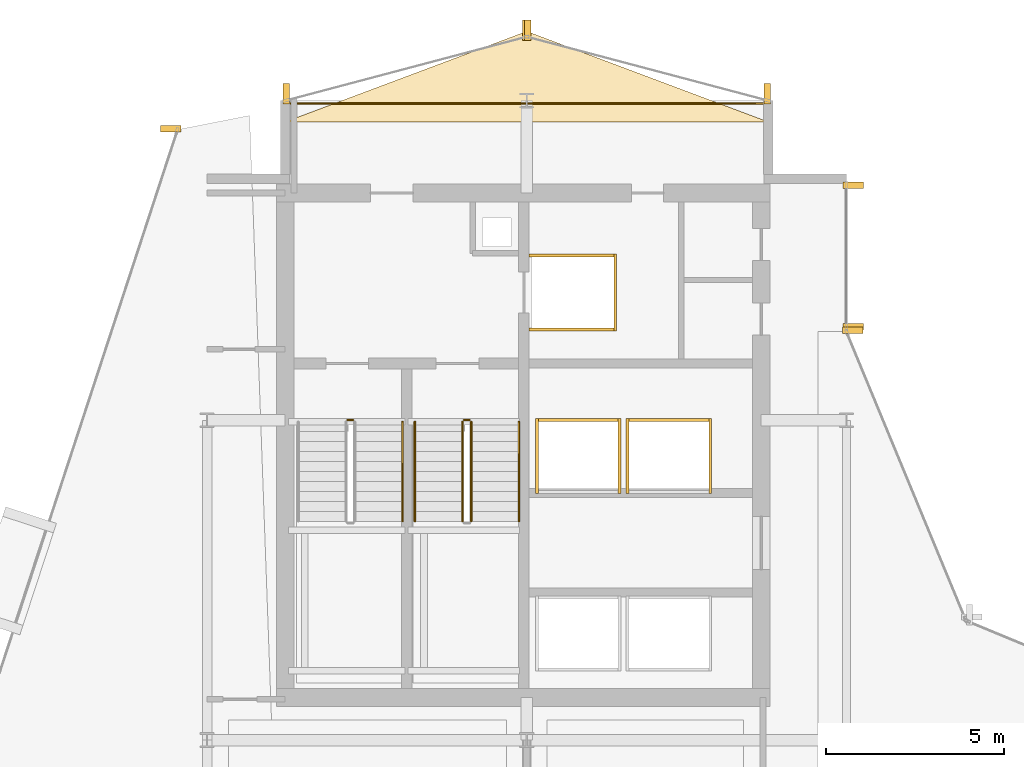
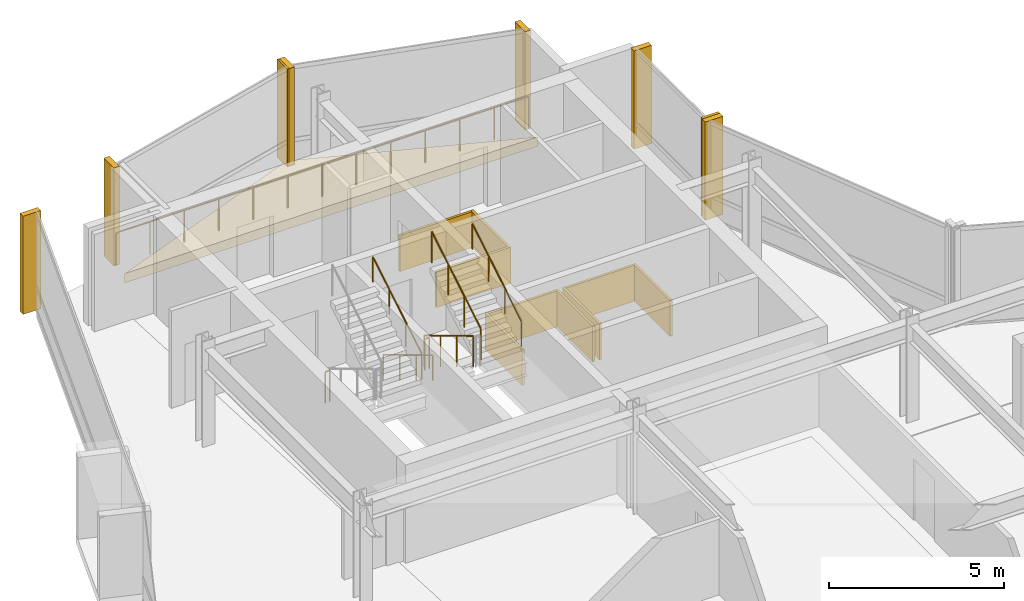
# One storey, part 27 of 27: 18 coverings, 8 railings.
"""IFC4 building model written with IfcOpenShell, lengths in metres."""

from ifc_helpers import new_model, si_unit, direction, frame, origin, origin_2d, place, context, subcontext, project, spatial, polyline, rectangle, circle, outline, extrude, material, layer, layer_set, type_object, element, save


model = new_model("IFC4")

# Units and contexts
model_context = context("Model", 3, precision=1e-05, world=origin(), true_north=direction((0.0, 1.0)))
body_context = subcontext(model_context, "Body", "Model", "MODEL_VIEW")
ifc_project = project(units=[si_unit("LENGTHUNIT", "METRE"), si_unit("AREAUNIT", "SQUARE_METRE"), si_unit("VOLUMEUNIT", "CUBIC_METRE"), si_unit("PLANEANGLEUNIT", "RADIAN"), si_unit("MASSUNIT", "GRAM", prefix="KILO")], contexts=[model_context])

# Site, building, storey
site_placement = place(None, origin())
site = spatial("IfcSite", under=ifc_project, at=site_placement, CompositionType="ELEMENT")
building_placement = place(site_placement, origin())
building = spatial("IfcBuilding", under=site, at=building_placement, Name="Solvaryn Broadcast Tower", CompositionType="ELEMENT")
storey_placement = place(building_placement, frame((0.0, 0.0, 185.300048828125)))
storey = spatial("IfcBuildingStorey", under=building, at=storey_placement, Name="L46", CompositionType="ELEMENT", Elevation=185.300048828125)

# Coverings
ifc_material_1 = material(Name="Fire-Rated Gypsum Shaftwall Liner", Category="concrete")
ifc_layer_1 = layer(ifc_material_1, 0.080078125)
ifc_layer_set_1 = layer_set([ifc_layer_1], Name="CV-SHAFT-LINER")
covering_type_1 = type_object("IfcCoveringType", Name="CV-SHAFT-LINER", PredefinedType="CLADDING", material=ifc_layer_set_1)
for number, where, z_axis, x_axis, name in (
    (1, (19.300048828125, 40.639892578125, 0.0), (0.0, 0.0, 1.0), (1.0, 0.0, 0.0), "L46 FL1 Hoistway Shaft Liner North"),
    (2, (19.300048828125, 38.56005859375, 0.0), (0.0, 0.0, 1.0), (1.0, 0.0, 0.0), "L46 FL1 Hoistway Shaft Liner South"),
):
    element("IfcCovering", number, at=place(storey_placement, frame(where, z_axis=z_axis, x_axis=x_axis)), inside=storey, type_object=covering_type_1, Name=name, PredefinedType="CLADDING", context=body_context, shape_type="SweptSolid", body=[
        extrude(rectangle(XDim=2.4599609375, YDim=0.080078125, at=origin_2d()), origin(), (0.0, 0.0, 1.0), 1.25),
    ])
covering_1_placement = place(storey_placement, frame((20.489990234375, 39.60009765625, 0.0), z_axis=(0.0, 0.0, 1.0), x_axis=(1.0, 0.0, 0.0)))
element("IfcCovering", 3, at=covering_1_placement, inside=storey, type_object=covering_type_1, Name="L46 FL1 Hoistway Shaft Liner East", PredefinedType="CLADDING", context=body_context, shape_type="SweptSolid", body=[
    extrude(rectangle(XDim=0.080078125, YDim=2.159912109375, at=origin_2d()), origin(), (0.0, 0.0, 1.0), 1.25),
])
covering_2_placement = place(storey_placement, frame((19.449951171875, 36.014892578125, 0.0), z_axis=(0.0, 0.0, 1.0), x_axis=(1.0, 0.0, 0.0)))
element("IfcCovering", 4, at=covering_2_placement, inside=storey, type_object=covering_type_1, Name="L46 PH3 Hoistway Shaft Liner North", PredefinedType="CLADDING", context=body_context, shape_type="SweptSolid", body=[
    extrude(rectangle(XDim=2.409912109375, YDim=0.080078125, at=origin_2d()), origin(), (0.0, 0.0, 1.0), 1.25),
])
for number, where, z_axis, x_axis, name in (
    (5, (20.614990234375, 35.0, 0.0), (0.0, 0.0, 1.0), (1.0, 0.0, 0.0), "L46 PH3 Hoistway Shaft Liner East"),
    (6, (18.284912109375, 35.0, 0.0), (0.0, 0.0, 1.0), (1.0, 0.0, 0.0), "L46 PH3 Hoistway Shaft Liner West"),
):
    element("IfcCovering", number, at=place(storey_placement, frame(where, z_axis=z_axis, x_axis=x_axis)), inside=storey, type_object=covering_type_1, Name=name, PredefinedType="CLADDING", context=body_context, shape_type="SweptSolid", body=[
        extrude(rectangle(XDim=0.080078125, YDim=2.110107421875, at=origin_2d()), origin(), (0.0, 0.0, 1.0), 1.25),
    ])
covering_3_placement = place(storey_placement, frame((22.0, 36.014892578125, 0.0), z_axis=(0.0, 0.0, 1.0), x_axis=(1.0, 0.0, 0.0)))
element("IfcCovering", 7, at=covering_3_placement, inside=storey, type_object=covering_type_1, Name="L46 PH4 Hoistway Shaft Liner North", PredefinedType="CLADDING", context=body_context, shape_type="SweptSolid", body=[
    extrude(rectangle(XDim=2.409912109375, YDim=0.080078125, at=origin_2d()), origin(), (0.0, 0.0, 1.0), 1.25),
])
for number, where, z_axis, x_axis, name in (
    (8, (23.1650390625, 35.0, 0.0), (0.0, 0.0, 1.0), (1.0, 0.0, 0.0), "L46 PH4 Hoistway Shaft Liner East"),
    (9, (20.8349609375, 35.0, 0.0), (0.0, 0.0, 1.0), (1.0, 0.0, 0.0), "L46 PH4 Hoistway Shaft Liner West"),
):
    element("IfcCovering", number, at=place(storey_placement, frame(where, z_axis=z_axis, x_axis=x_axis)), inside=storey, type_object=covering_type_1, Name=name, PredefinedType="CLADDING", context=body_context, shape_type="SweptSolid", body=[
        extrude(rectangle(XDim=0.080078125, YDim=2.110107421875, at=origin_2d()), origin(), (0.0, 0.0, 1.0), 1.25),
    ])
ifc_material_2 = material(Name="Extruded Architectural Terracotta Fin", Category="masonry")
ifc_layer_2 = layer(ifc_material_2, 0.179931640625)
ifc_layer_set_2 = layer_set([ifc_layer_2], Name="CV-TC-FIN")
covering_type_2 = type_object("IfcCoveringType", Name="CV-TC-FIN", PredefinedType="USERDEFINED", material=ifc_layer_set_2)
for number, where, z_axis, x_axis, name in (
    (10, (7.982666015625, 44.209716796875, 0.0), (0.0, 0.0, 1.0), (1.0, 0.0, 0.0), "L46 Terracotta Vertical Fin FIN-L46-DR1-M00"),
    (11, (27.1875, 42.6201171875, 0.0), (0.0, 0.0, 1.0), (1.0, 0.0, 0.0), "L46 Terracotta Vertical Fin FIN-L46-IV-M00"),
    (12, (27.1875, 38.6298828125, 0.0), (0.0, 0.0, 1.0), (1.0, 0.0, 0.0), "L46 Terracotta Vertical Fin FIN-L46-IV-M01"),
    (13, (27.177978515625, 38.541259765625, 0.0), (0.0, 0.0, 1.0), (1.0, 0.0, 0.0), "L46 Terracotta Vertical Fin FIN-L46-CN2-M01"),
):
    element("IfcCovering", number, at=place(storey_placement, frame(where, z_axis=z_axis, x_axis=x_axis)), inside=storey, type_object=covering_type_2, Name=name, ObjectType="FIN", PredefinedType="USERDEFINED", context=body_context, shape_type="SweptSolid", body=[
        extrude(rectangle(XDim=0.580078125, YDim=0.179931640625, at=origin_2d()), origin(), (0.0, 0.0, 1.0), 3.419921875),
    ])
for number, where, z_axis, x_axis, name in (
    (14, (24.77099609375, 45.1953125, 0.0), (0.0, 0.0, 1.0), (1.0, 0.0, 0.0), "L46 Terracotta Vertical Fin FIN-L46-NT1-M00"),
    (15, (18.029052734375, 46.979736328125, 0.0), (0.0, 0.0, 1.0), (1.0, 0.0, 0.0), "L46 Terracotta Vertical Fin FIN-L46-NT1-M01"),
    (16, (17.970947265625, 46.979736328125, 0.0), (0.0, 0.0, 1.0), (1.0, 0.0, 0.0), "L46 Terracotta Vertical Fin FIN-L46-NT2-M00"),
    (17, (11.22900390625, 45.1953125, 0.0), (0.0, 0.0, 1.0), (1.0, 0.0, 0.0), "L46 Terracotta Vertical Fin FIN-L46-NT2-M01"),
):
    element("IfcCovering", number, at=place(storey_placement, frame(where, z_axis=z_axis, x_axis=x_axis)), inside=storey, type_object=covering_type_2, Name=name, ObjectType="FIN", PredefinedType="USERDEFINED", context=body_context, shape_type="SweptSolid", body=[
        extrude(rectangle(XDim=0.179931640625, YDim=0.580078125, at=origin_2d()), origin(), (0.0, 0.0, 1.0), 3.419921875),
    ])
ifc_material_3 = material(Name="Sculpted Architectural Terracotta Wave Fascia", Category="masonry")
ifc_layer_3 = layer(ifc_material_3, 0.340087890625)
ifc_layer_set_3 = layer_set([ifc_layer_3], Name="CV-WAVE-TRAY")
covering_type_3 = type_object("IfcCoveringType", Name="CV-WAVE-TRAY", PredefinedType="CLADDING", material=ifc_layer_set_3)
covering_4_placement = place(storey_placement, frame((0.0, 0.0, -0.300048828125)))
element("IfcCovering", 18, at=covering_4_placement, inside=storey, type_object=covering_type_3, Name="L46 North Curved Wing Deck", PredefinedType="CLADDING", context=body_context, shape_type="SweptSolid", body=[
    extrude(outline(polyline([(11.199951171875, 44.39990234375), (24.800048828125, 44.39990234375), (18.0, 46.949951171875), (11.199951171875, 44.39990234375)])), origin(), (0.0, 0.0, 1.0), 0.330078125),
])

# Railings
ifc_material_4 = material(Name="Painted Steel Stair Well Guard", Category="steel")
railing_type_1 = type_object("IfcRailingType", Name="RL-STAIR-GUARD", PredefinedType="BALUSTRADE", material=ifc_material_4)
railing_1_placement = place(storey_placement, frame((12.9599609375, 36.010009765625, 0.0)))
element("IfcRailing", 19, at=railing_1_placement, inside=storey, type_object=railing_type_1, Name="L46 ST1 stair guard 4", PredefinedType="BALUSTRADE", context=body_context, shape_type="SweptSolid", body=[
    extrude(circle(Radius=0.02392578125, at=origin_2d()), frame((0.0, 0.0, 1.076171875), z_axis=(1.0, 0.0, 0.0), x_axis=(0.0, 1.0, 0.0)), (0.0, 0.0, 1.0), 0.150146484375),
    extrude(circle(Radius=0.02099609375, at=origin_2d()), origin(), (0.0, 0.0, 1.0), 1.052001953125),
    extrude(circle(Radius=0.02099609375, at=origin_2d()), frame((0.150146484375, 0.0, 0.0)), (0.0, 0.0, 1.0), 1.052001953125),
])
railing_2_placement = place(storey_placement, frame((16.18994140625, 35.9599609375, 0.168212890625)))
element("IfcRailing", 20, at=railing_2_placement, inside=storey, type_object=railing_type_1, Name="L46 ST2 stair guard 1", PredefinedType="BALUSTRADE", context=body_context, shape_type="SweptSolid", body=[
    extrude(circle(Radius=0.02392578125, at=origin_2d()), frame((0.0, 0.0, 1.076171875), z_axis=(0.0, -0.857275202839, 0.514858452973), x_axis=(1.0, 0.0, 0.0)), (0.0, 0.0, 1.0), 3.26611328125),
    extrude(circle(Radius=0.02099609375, at=origin_2d()), origin(), (0.0, 0.0, 1.0), 1.052001953125),
    extrude(circle(Radius=0.02099609375, at=origin_2d()), frame((0.0, -0.933349609375, 0.560546875)), (0.0, 0.0, 1.0), 1.052001953125),
    extrude(circle(Radius=0.02099609375, at=origin_2d()), frame((0.0, -1.86669921875, 1.12109375)), (0.0, 0.0, 1.0), 1.052001953125),
    extrude(circle(Radius=0.02099609375, at=origin_2d()), frame((0.0, -2.800048828125, 1.681640625)), (0.0, 0.0, 1.0), 1.052001953125),
])
railing_3_placement = place(storey_placement, frame((16.43994140625, 33.159912109375, 2.01806640625)))
element("IfcRailing", 21, at=railing_3_placement, inside=storey, type_object=railing_type_1, Name="L46 ST2 stair guard 3", PredefinedType="BALUSTRADE", context=body_context, shape_type="SweptSolid", body=[
    extrude(circle(Radius=0.02392578125, at=origin_2d()), frame((0.0, 0.0, 1.076171875), z_axis=(0.0, 0.857242210791, 0.514913383045), x_axis=(-1.0, 0.0, 0.0)), (0.0, 0.0, 1.0), 3.266357421875),
    extrude(circle(Radius=0.02099609375, at=origin_2d()), origin(), (0.0, 0.0, 1.0), 1.052001953125),
    extrude(circle(Radius=0.02099609375, at=origin_2d()), frame((0.0, 0.933349609375, 0.560546875)), (0.0, 0.0, 1.0), 1.052001953125),
    extrude(circle(Radius=0.02099609375, at=origin_2d()), frame((0.0, 1.86669921875, 1.121337890625)), (0.0, 0.0, 1.0), 1.052001953125),
    extrude(circle(Radius=0.02099609375, at=origin_2d()), frame((0.0, 2.800048828125, 1.681884765625)), (0.0, 0.0, 1.0), 1.052001953125),
])
railing_4_placement = place(storey_placement, frame((16.239990234375, 36.010009765625, 0.0)))
element("IfcRailing", 22, at=railing_4_placement, inside=storey, type_object=railing_type_1, Name="L46 ST2 stair guard 4", PredefinedType="BALUSTRADE", context=body_context, shape_type="SweptSolid", body=[
    extrude(circle(Radius=0.02392578125, at=origin_2d()), frame((0.0, 0.0, 1.076171875), z_axis=(1.0, 0.0, 0.0), x_axis=(0.0, 1.0, 0.0)), (0.0, 0.0, 1.0), 0.14990234375),
    extrude(circle(Radius=0.02099609375, at=origin_2d()), origin(), (0.0, 0.0, 1.0), 1.052001953125),
    extrude(circle(Radius=0.02099609375, at=origin_2d()), frame((0.14990234375, 0.0, 0.0)), (0.0, 0.0, 1.0), 1.052001953125),
])
ifc_material_5 = material(Name="Brushed Stainless Steel Tubular Handrail", Category="steel")
railing_type_2 = type_object("IfcRailingType", Name="RL-STAIR-HANDRAIL", PredefinedType="HANDRAIL", material=ifc_material_5)
railing_5_placement = place(storey_placement, frame((14.5, 33.159912109375, 2.01806640625)))
element("IfcRailing", 23, at=railing_5_placement, inside=storey, type_object=railing_type_2, Name="L46 ST1 stair handrail 2", PredefinedType="HANDRAIL", context=body_context, shape_type="SweptSolid", body=[
    extrude(circle(Radius=0.02392578125, at=origin_2d()), frame((0.0, 0.0, 0.8759765625), z_axis=(0.0, 0.857242210791, 0.514913383045), x_axis=(-1.0, 0.0, 0.0)), (0.0, 0.0, 1.0), 3.266357421875),
    extrude(circle(Radius=0.02099609375, at=origin_2d()), origin(), (0.0, 0.0, 1.0), 0.851806640625),
    extrude(circle(Radius=0.02099609375, at=origin_2d()), frame((0.0, 0.933349609375, 0.560546875)), (0.0, 0.0, 1.0), 0.851806640625),
    extrude(circle(Radius=0.02099609375, at=origin_2d()), frame((0.0, 1.86669921875, 1.121337890625)), (0.0, 0.0, 1.0), 0.851806640625),
    extrude(circle(Radius=0.02099609375, at=origin_2d()), frame((0.0, 2.800048828125, 1.681884765625)), (0.0, 0.0, 1.0), 0.851806640625),
])
railing_6_placement = place(storey_placement, frame((14.85009765625, 35.9599609375, 0.168212890625)))
element("IfcRailing", 24, at=railing_6_placement, inside=storey, type_object=railing_type_2, Name="L46 ST2 stair handrail 1", PredefinedType="HANDRAIL", context=body_context, shape_type="SweptSolid", body=[
    extrude(circle(Radius=0.02392578125, at=origin_2d()), frame((0.0, 0.0, 0.8759765625), z_axis=(0.0, -0.857275202839, 0.514858452973), x_axis=(1.0, 0.0, 0.0)), (0.0, 0.0, 1.0), 3.26611328125),
    extrude(circle(Radius=0.02099609375, at=origin_2d()), origin(), (0.0, 0.0, 1.0), 0.851806640625),
    extrude(circle(Radius=0.02099609375, at=origin_2d()), frame((0.0, -0.933349609375, 0.560546875)), (0.0, 0.0, 1.0), 0.851806640625),
    extrude(circle(Radius=0.02099609375, at=origin_2d()), frame((0.0, -1.86669921875, 1.12109375)), (0.0, 0.0, 1.0), 0.851806640625),
    extrude(circle(Radius=0.02099609375, at=origin_2d()), frame((0.0, -2.800048828125, 1.681640625)), (0.0, 0.0, 1.0), 0.851806640625),
])
railing_7_placement = place(storey_placement, frame((17.780029296875, 33.159912109375, 2.01806640625)))
element("IfcRailing", 25, at=railing_7_placement, inside=storey, type_object=railing_type_2, Name="L46 ST2 stair handrail 2", PredefinedType="HANDRAIL", context=body_context, shape_type="SweptSolid", body=[
    extrude(circle(Radius=0.02392578125, at=origin_2d()), frame((0.0, 0.0, 0.8759765625), z_axis=(0.0, 0.857242210791, 0.514913383045), x_axis=(-1.0, 0.0, 0.0)), (0.0, 0.0, 1.0), 3.266357421875),
    extrude(circle(Radius=0.02099609375, at=origin_2d()), origin(), (0.0, 0.0, 1.0), 0.851806640625),
    extrude(circle(Radius=0.02099609375, at=origin_2d()), frame((0.0, 0.933349609375, 0.560546875)), (0.0, 0.0, 1.0), 0.851806640625),
    extrude(circle(Radius=0.02099609375, at=origin_2d()), frame((0.0, 1.86669921875, 1.121337890625)), (0.0, 0.0, 1.0), 0.851806640625),
    extrude(circle(Radius=0.02099609375, at=origin_2d()), frame((0.0, 2.800048828125, 1.681884765625)), (0.0, 0.0, 1.0), 0.851806640625),
])
ifc_material_6 = material(Name="Stainless Steel and Laminated Glass Guard", Category="steel")
railing_type_3 = type_object("IfcRailingType", Name="RL-TER-1150", PredefinedType="BALUSTRADE", material=ifc_material_6)
railing_8_placement = place(storey_placement, frame((11.199951171875, 44.919921875, 0.0)))
element("IfcRailing", 26, at=railing_8_placement, inside=storey, type_object=railing_type_3, Name="L46 North Wing Spandrel Edge Guard", PredefinedType="BALUSTRADE", context=body_context, shape_type="SweptSolid", body=[
    extrude(circle(Radius=0.02392578125, at=origin_2d()), frame((0.0, 0.0, 1.1259765625), z_axis=(1.0, 0.0, 0.0), x_axis=(0.0, 1.0, 0.0)), (0.0, 0.0, 1.0), 13.60009765625),
    extrude(circle(Radius=0.02099609375, at=origin_2d()), origin(), (0.0, 0.0, 1.0), 1.101806640625),
    extrude(circle(Radius=0.02099609375, at=origin_2d()), frame((1.13330078125, 0.0, 0.0)), (0.0, 0.0, 1.0), 1.101806640625),
    extrude(circle(Radius=0.02099609375, at=origin_2d()), frame((2.2666015625, 0.0, 0.0)), (0.0, 0.0, 1.0), 1.101806640625),
    extrude(circle(Radius=0.02099609375, at=origin_2d()), frame((3.39990234375, 0.0, 0.0)), (0.0, 0.0, 1.0), 1.101806640625),
    extrude(circle(Radius=0.02099609375, at=origin_2d()), frame((4.533447265625, 0.0, 0.0)), (0.0, 0.0, 1.0), 1.101806640625),
    extrude(circle(Radius=0.02099609375, at=origin_2d()), frame((5.666748046875, 0.0, 0.0)), (0.0, 0.0, 1.0), 1.101806640625),
    extrude(circle(Radius=0.02099609375, at=origin_2d()), frame((6.800048828125, 0.0, 0.0)), (0.0, 0.0, 1.0), 1.101806640625),
    extrude(circle(Radius=0.02099609375, at=origin_2d()), frame((7.933349609375, 0.0, 0.0)), (0.0, 0.0, 1.0), 1.101806640625),
    extrude(circle(Radius=0.02099609375, at=origin_2d()), frame((9.066650390625, 0.0, 0.0)), (0.0, 0.0, 1.0), 1.101806640625),
    extrude(circle(Radius=0.02099609375, at=origin_2d()), frame((10.2001953125, 0.0, 0.0)), (0.0, 0.0, 1.0), 1.101806640625),
    extrude(circle(Radius=0.02099609375, at=origin_2d()), frame((11.33349609375, 0.0, 0.0)), (0.0, 0.0, 1.0), 1.101806640625),
    extrude(circle(Radius=0.02099609375, at=origin_2d()), frame((12.466796875, 0.0, 0.0)), (0.0, 0.0, 1.0), 1.101806640625),
    extrude(circle(Radius=0.02099609375, at=origin_2d()), frame((13.60009765625, 0.0, 0.0)), (0.0, 0.0, 1.0), 1.101806640625),
])

save(model, "model.ifc")
